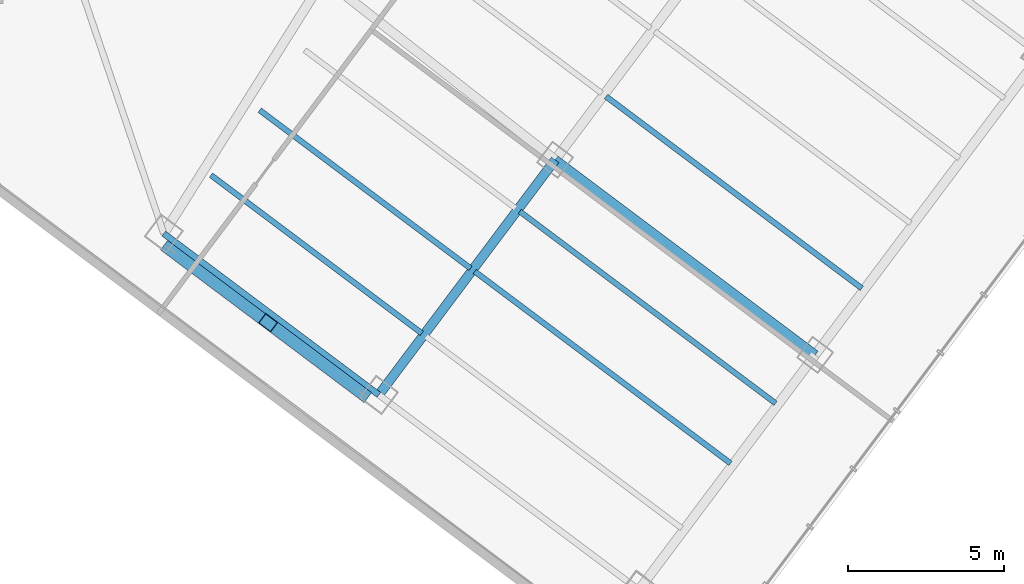
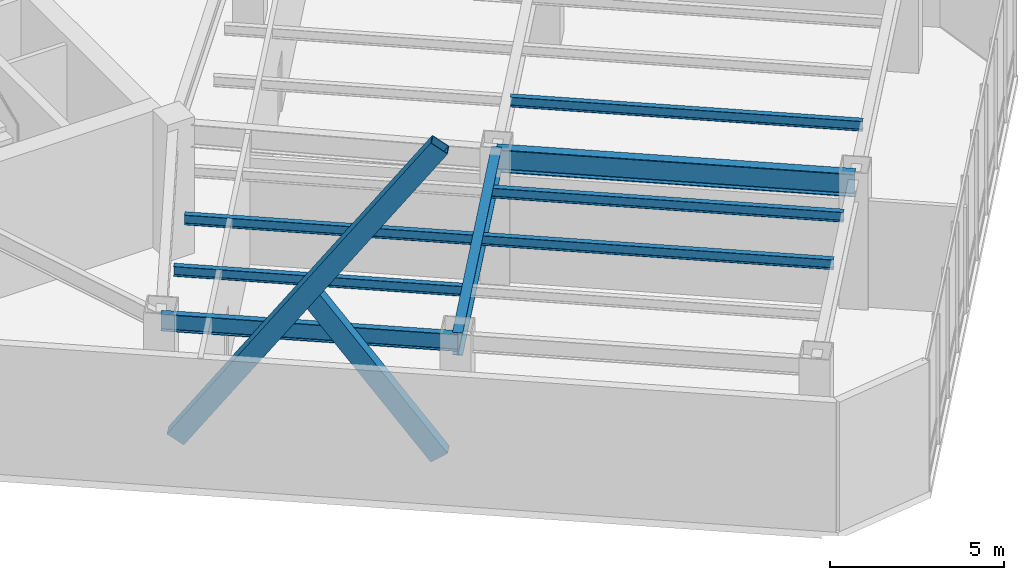
# One storey, part 6 of 27: 8 beams, 2 members.
"""IFC4 building model written with IfcOpenShell, lengths in metres."""

from ifc_helpers import new_model, si_unit, direction, frame, origin, origin_2d, place, context, subcontext, project, spatial, hollow_rectangle, i_section, extrude, material, material_profile, profile_set, type_object, element, save


model = new_model("IFC4")

# Units and contexts
model_context = context("Model", 3, precision=1e-05, world=origin(), true_north=direction((0.0, 1.0)))
body_context = subcontext(model_context, "Body", "Model", "MODEL_VIEW")
ifc_project = project(units=[si_unit("LENGTHUNIT", "METRE"), si_unit("AREAUNIT", "SQUARE_METRE"), si_unit("VOLUMEUNIT", "CUBIC_METRE"), si_unit("PLANEANGLEUNIT", "RADIAN"), si_unit("MASSUNIT", "GRAM", prefix="KILO")], contexts=[model_context])

# Site, building, storey
site_placement = place(None, origin())
site = spatial("IfcSite", under=ifc_project, at=site_placement, CompositionType="ELEMENT")
building_placement = place(site_placement, origin())
building = spatial("IfcBuilding", under=site, at=building_placement, Name="Hatsunagi Terrace Concourse", CompositionType="ELEMENT")
storey_placement = place(building_placement, frame((0.0, 0.0, 96.449951171875)))
storey = spatial("IfcBuildingStorey", under=building, at=storey_placement, Name="L25", CompositionType="ELEMENT", Elevation=96.449951171875)

# Beams
ifc_material_1 = material(Name="Steel SN490B", Category="steel")
ifc_material_profile_1 = material_profile(ifc_material_1, i_section(OverallWidth=0.175048828125, OverallDepth=0.35009765625, WebThickness=0.007080078125, FlangeThickness=0.010986328125, FilletRadius=0.012939453125, at=origin_2d()), Name="H-350x175x7x11")
ifc_profile_set_1 = profile_set([ifc_material_profile_1], Name="Steel SN490B")
beam_type_1 = type_object("IfcBeamType", Name="HotelJoist_H_350x175", PredefinedType="JOIST", material=ifc_profile_set_1)
for number, where, z_axis, x_axis, name in (
    (1, (40.18798828125, 17.908935546875, 4.375), (0.800003475366, -0.59999536615, 0.0), (0.59999536615, 0.800003475366, 0.0), "Beam J-02 J-L25-SE-2-46"),
    (2, (41.748046875, 19.989013671875, 4.375), (0.799989573921, -0.600013901187, 0.0), (0.600013901187, 0.799989573921, 0.0), "Beam J-02 J-L25-SE-2-72"),
):
    element("IfcBeam", number, at=place(storey_placement, frame(where, z_axis=z_axis, x_axis=x_axis)), inside=storey, type_object=beam_type_1, Name=name, PredefinedType="JOIST", context=body_context, shape_type="SweptSolid", body=[
        extrude(i_section(OverallWidth=0.175048828125, OverallDepth=0.35009765625, WebThickness=0.007080078125, FlangeThickness=0.010986328125, FilletRadius=0.012939453125, at=origin_2d()), origin(), (0.0, 0.0, 1.0), 8.429931640625),
    ])
beam_1_placement = place(storey_placement, frame((48.6279296875, 14.8291015625, 4.375), z_axis=(0.799994272423, -0.600007636694, 0.0), x_axis=(0.600007636694, 0.799994272423, 0.0)))
element("IfcBeam", 3, at=beam_1_placement, inside=storey, type_object=beam_type_1, Name="Beam J-02 J-L25-SE-3-72", PredefinedType="JOIST", context=body_context, shape_type="SweptSolid", body=[
    extrude(i_section(OverallWidth=0.175048828125, OverallDepth=0.35009765625, WebThickness=0.007080078125, FlangeThickness=0.010986328125, FilletRadius=0.012939453125, at=origin_2d()), origin(), (0.0, 0.0, 1.0), 10.230224609375),
])
beam_2_placement = place(storey_placement, frame((50.068115234375, 16.7490234375, 4.375), z_axis=(0.799997136125, -0.600003818481, 0.0), x_axis=(0.600003818481, 0.799997136125, 0.0)))
element("IfcBeam", 4, at=beam_2_placement, inside=storey, type_object=beam_type_1, Name="Beam J-02 J-L25-SE-3-96", PredefinedType="JOIST", context=body_context, shape_type="SweptSolid", body=[
    extrude(i_section(OverallWidth=0.175048828125, OverallDepth=0.35009765625, WebThickness=0.007080078125, FlangeThickness=0.010986328125, FilletRadius=0.012939453125, at=origin_2d()), origin(), (0.0, 0.0, 1.0), 10.229736328125),
])
beam_3_placement = place(storey_placement, frame((52.827880859375, 20.428955078125, 4.375), z_axis=(0.800005727586, -0.599992363142, 0.0), x_axis=(0.599992363142, 0.800005727586, 0.0)))
element("IfcBeam", 5, at=beam_3_placement, inside=storey, type_object=beam_type_1, Name="Beam J-02 J-L25-SE-3-142", PredefinedType="JOIST", context=body_context, shape_type="SweptSolid", body=[
    extrude(i_section(OverallWidth=0.175048828125, OverallDepth=0.35009765625, WebThickness=0.007080078125, FlangeThickness=0.010986328125, FilletRadius=0.012939453125, at=origin_2d()), origin(), (0.0, 0.0, 1.0), 10.22998046875),
])
ifc_material_2 = material(Name="Steel SN490B", Category="steel")
ifc_material_profile_2 = material_profile(ifc_material_2, i_section(OverallWidth=0.199951171875, OverallDepth=0.60009765625, WebThickness=0.010986328125, FlangeThickness=0.01708984375, FilletRadius=0.01806640625, at=origin_2d()), Name="H-600x200x11x17")
ifc_profile_set_2 = profile_set([ifc_material_profile_2], Name="Steel SN490B")
beam_type_2 = type_object("IfcBeamType", Name="PerimeterSpandrel_H_600x200", PredefinedType="SPANDREL", material=ifc_profile_set_2)
beam_4_placement = place(storey_placement, frame((38.679931640625, 16.0400390625, 4.25), z_axis=(0.799996593451, -0.600004542038, 0.0), x_axis=(0.600004542038, 0.799996593451, 0.0)))
element("IfcBeam", 6, at=beam_4_placement, inside=storey, type_object=beam_type_2, Name="Beam SP-01 BM-L25-SE-SW2", PredefinedType="SPANDREL", context=body_context, shape_type="SweptSolid", body=[
    extrude(i_section(OverallWidth=0.199951171875, OverallDepth=0.60009765625, WebThickness=0.010986328125, FlangeThickness=0.01708984375, FilletRadius=0.01806640625, at=origin_2d()), origin(), (0.0, 0.0, 1.0), 8.60009765625),
])

# Members
ifc_material_3 = material(Name="Steel SN490B", Category="steel")
ifc_material_profile_3 = material_profile(ifc_material_3, hollow_rectangle(XDim=0.39990234375, YDim=0.60009765625, WallThickness=0.02490234375, at=origin_2d()), Name="RHS-600x400x25")
ifc_profile_set_3 = profile_set([ifc_material_profile_3], Name="Steel SN490B")
member_type = type_object("IfcMemberType", Name="PerimeterXBrace_Mid_RHS_600x400x25", PredefinedType="BRACE", material=ifc_profile_set_3)
member_1_placement = place(storey_placement, frame((38.89208984375, 15.531005859375, 0.43994140625), z_axis=(0.460412644314, -0.345323258697, 0.817784839648), x_axis=(0.600015318615, 0.799988510809, 0.0)))
element("IfcMember", 7, at=member_1_placement, inside=storey, type_object=member_type, Name="Perimeter X-Brace XB-02 XB-L25-SEA", PredefinedType="BRACE", context=body_context, shape_type="SweptSolid", body=[
    extrude(hollow_rectangle(XDim=0.39990234375, YDim=0.60009765625, WallThickness=0.02490234375, at=origin_2d()), origin(), (0.0, 0.0, 1.0), 13.292236328125),
])
member_2_placement = place(storey_placement, frame((42.01611328125, 13.18798828125, 5.760986328125), z_axis=(0.460420921248, -0.34534383173, -0.817771492021), x_axis=(0.600031291916, 0.799976530107, 0.0)))
element("IfcMember", 8, at=member_2_placement, inside=storey, type_object=member_type, Name="Perimeter X-Brace Split Lower XB-02 XB-L25-SEB2", PredefinedType="BRACE", context=body_context, shape_type="SweptSolid", body=[
    extrude(hollow_rectangle(XDim=0.39990234375, YDim=0.60009765625, WallThickness=0.02490234375, at=origin_2d()), origin(), (0.0, 0.0, 1.0), 6.5068359375),
])

# Beams
ifc_material_4 = material(Name="Steel SN490B", Category="steel")
ifc_material_profile_4 = material_profile(ifc_material_4, i_section(OverallWidth=0.300048828125, OverallDepth=0.800048828125, WebThickness=0.013916015625, FlangeThickness=0.02587890625, FilletRadius=0.02197265625, at=origin_2d()), Name="H-800x300x14x26")
ifc_profile_set_4 = profile_set([ifc_material_profile_4], Name="Steel SN490B")
beam_type_3 = type_object("IfcBeamType", Name="SkyLobbyGirder_H_800x300", PredefinedType="BEAM", material=ifc_profile_set_4)
beam_5_placement = place(storey_placement, frame((45.56005859375, 10.8798828125, 4.150146484375), z_axis=(0.599991688754, 0.800006233367, 0.0), x_axis=(-0.800006233367, 0.599991688754, 0.0)))
element("IfcBeam", 9, at=beam_5_placement, inside=storey, type_object=beam_type_3, Name="Beam G-03 BM-L25-SET-2A", PredefinedType="BEAM", context=body_context, shape_type="SweptSolid", body=[
    extrude(i_section(OverallWidth=0.300048828125, OverallDepth=0.800048828125, WebThickness=0.013916015625, FlangeThickness=0.02587890625, FilletRadius=0.02197265625, at=origin_2d()), origin(), (0.0, 0.0, 1.0), 9.39990234375),
])
beam_6_placement = place(storey_placement, frame((51.199951171875, 18.39990234375, 4.150146484375), z_axis=(0.800002816985, -0.599996244001, 0.0), x_axis=(0.599996244001, 0.800002816985, 0.0)))
element("IfcBeam", 10, at=beam_6_placement, inside=storey, type_object=beam_type_3, Name="Beam G-03 BM-L25-SE-M3", PredefinedType="BEAM", context=body_context, shape_type="SweptSolid", body=[
    extrude(i_section(OverallWidth=0.300048828125, OverallDepth=0.800048828125, WebThickness=0.013916015625, FlangeThickness=0.02587890625, FilletRadius=0.02197265625, at=origin_2d()), origin(), (0.0, 0.0, 1.0), 10.400146484375),
])

save(model, "model.ifc")
